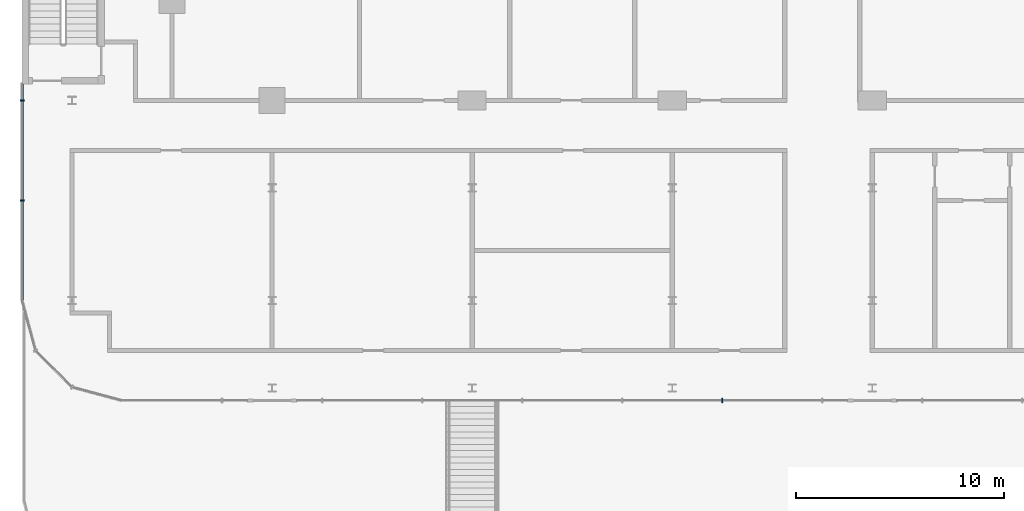
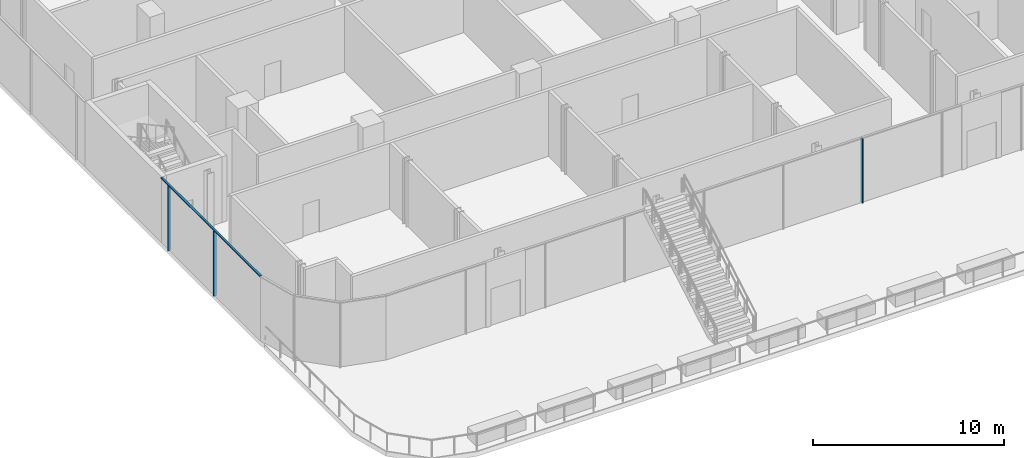
# One storey, part 8 of 38: 4 members, 2 elements without a shape of their own.
"""IFC4 building model written with IfcOpenShell, lengths in metres."""

from ifc_helpers import new_model, si_unit, direction, frame, origin, origin_2d, place, context, subcontext, project, spatial, rectangle, extrude, material, layer, layer_set, material_profile, profile_set, type_object, element, aggregate, save


model = new_model("IFC4")

# Units and contexts
model_context = context("Model", 3, precision=1e-05, world=origin(), true_north=direction((0.0, 1.0)))
body_context = subcontext(model_context, "Body", "Model", "MODEL_VIEW")
ifc_project = project(units=[si_unit("LENGTHUNIT", "METRE"), si_unit("AREAUNIT", "SQUARE_METRE"), si_unit("VOLUMEUNIT", "CUBIC_METRE"), si_unit("PLANEANGLEUNIT", "RADIAN"), si_unit("MASSUNIT", "GRAM", prefix="KILO")], contexts=[model_context])

# Site, building, storey
site_placement = place(None, origin())
site = spatial("IfcSite", under=ifc_project, at=site_placement, CompositionType="ELEMENT")
building_placement = place(site_placement, origin())
building = spatial("IfcBuilding", under=site, at=building_placement, Name="Madar Terraces", CompositionType="ELEMENT")
storey_placement = place(building_placement, frame((0.0, 0.0, 15.0)))
storey = spatial("IfcBuildingStorey", under=building, at=storey_placement, Name="L03", CompositionType="ELEMENT", Elevation=15.0)

# Curtain wall, member
ifc_material_1 = material(Name="Glass, clear low-iron, with black aluminium frame", Category="aluminium")
ifc_layer = layer(ifc_material_1, 0.199951171875)
ifc_layer_set = layer_set([ifc_layer], Name="Facade curtain wall, shopfront glazing")
curtain_wall_type = type_object("IfcCurtainWallType", Name="Facade curtain wall, shopfront glazing", PredefinedType="NOTDEFINED", material=ifc_layer_set)
curtain_wall_1_placement = place(storey_placement, origin())
curtain_wall_1 = element("IfcCurtainWall", 1, at=curtain_wall_1_placement, inside=storey, type_object=curtain_wall_type, Name="Outer skin curtain wall south bay 1", PredefinedType="NOTDEFINED")
ifc_material_2 = material(Name="Aluminium, black anodised", Category="aluminium")
ifc_material_profile_1 = material_profile(ifc_material_2, rectangle(XDim=0.199951171875, YDim=0.06005859375, at=origin_2d()), Name="Facade mullion 60x200")
ifc_profile_set_1 = profile_set([ifc_material_profile_1], Name="Aluminium, black anodised")
member_type_1 = type_object("IfcMemberType", Name="Facade mullion 60x200", PredefinedType="MULLION", material=ifc_profile_set_1)
member_1_placement = place(storey_placement, frame((26.39990234375, -14.39990234375, 0.0), z_axis=(0.0, 0.0, 1.0), x_axis=(0.0, 1.0, 0.0)))
member_1 = element("IfcMember", 2, at=member_1_placement, type_object=member_type_1, Name="Mullion 6", PredefinedType="MULLION", context=body_context, shape_type="SweptSolid", body=[
    extrude(rectangle(XDim=0.199951171875, YDim=0.06005859375, at=origin_2d()), origin(), (0.0, 0.0, 1.0), 4.139892578125),
])
aggregate(curtain_wall_1, [member_1])

# Curtain wall, members
curtain_wall_2_placement = place(storey_placement, origin())
curtain_wall_2 = element("IfcCurtainWall", 3, at=curtain_wall_2_placement, inside=storey, type_object=curtain_wall_type, Name="Outer skin curtain wall west bay 1", PredefinedType="NOTDEFINED")
member_2_placement = place(storey_placement, frame((-7.199951171875, 0.0, 0.0), z_axis=(0.0, 0.0, 1.0), x_axis=(1.0, 0.0, 0.0)))
member_2 = element("IfcMember", 4, at=member_2_placement, type_object=member_type_1, Name="Mullion 10", PredefinedType="MULLION", context=body_context, shape_type="SweptSolid", body=[
    extrude(rectangle(XDim=0.199951171875, YDim=0.06005859375, at=origin_2d()), origin(), (0.0, 0.0, 1.0), 4.139892578125),
])
member_3_placement = place(storey_placement, frame((-7.199951171875, -4.800048828125, 0.0), z_axis=(0.0, 0.0, 1.0), x_axis=(1.0, 0.0, 0.0)))
member_3 = element("IfcMember", 5, at=member_3_placement, type_object=member_type_1, Name="Mullion 11", PredefinedType="MULLION", context=body_context, shape_type="SweptSolid", body=[
    extrude(rectangle(XDim=0.199951171875, YDim=0.06005859375, at=origin_2d()), origin(), (0.0, 0.0, 1.0), 4.139892578125),
])
ifc_material_3 = material(Name="Aluminium, black anodised", Category="aluminium")
ifc_material_profile_2 = material_profile(ifc_material_3, rectangle(XDim=0.1201171875, YDim=0.06005859375, at=origin_2d()), Name="Facade transom 60x120")
ifc_profile_set_2 = profile_set([ifc_material_profile_2], Name="Aluminium, black anodised")
member_type_2 = type_object("IfcMemberType", Name="Facade transom 60x120", PredefinedType="USERDEFINED", material=ifc_profile_set_2)
member_4_placement = place(storey_placement, frame((-7.199951171875, 0.800048828125, 4.169921875), z_axis=(0.0, -1.0, 0.0), x_axis=(1.0, 0.0, 0.0)))
member_4 = element("IfcMember", 6, at=member_4_placement, type_object=member_type_2, Name="Transom 2", ObjectType="TRANSOM", PredefinedType="USERDEFINED", context=body_context, shape_type="SweptSolid", body=[
    extrude(rectangle(XDim=0.1201171875, YDim=0.06005859375, at=origin_2d()), origin(), (0.0, 0.0, 1.0), 10.400146484375),
])
aggregate(curtain_wall_2, [member_2, member_3, member_4])

save(model, "model.ifc")
